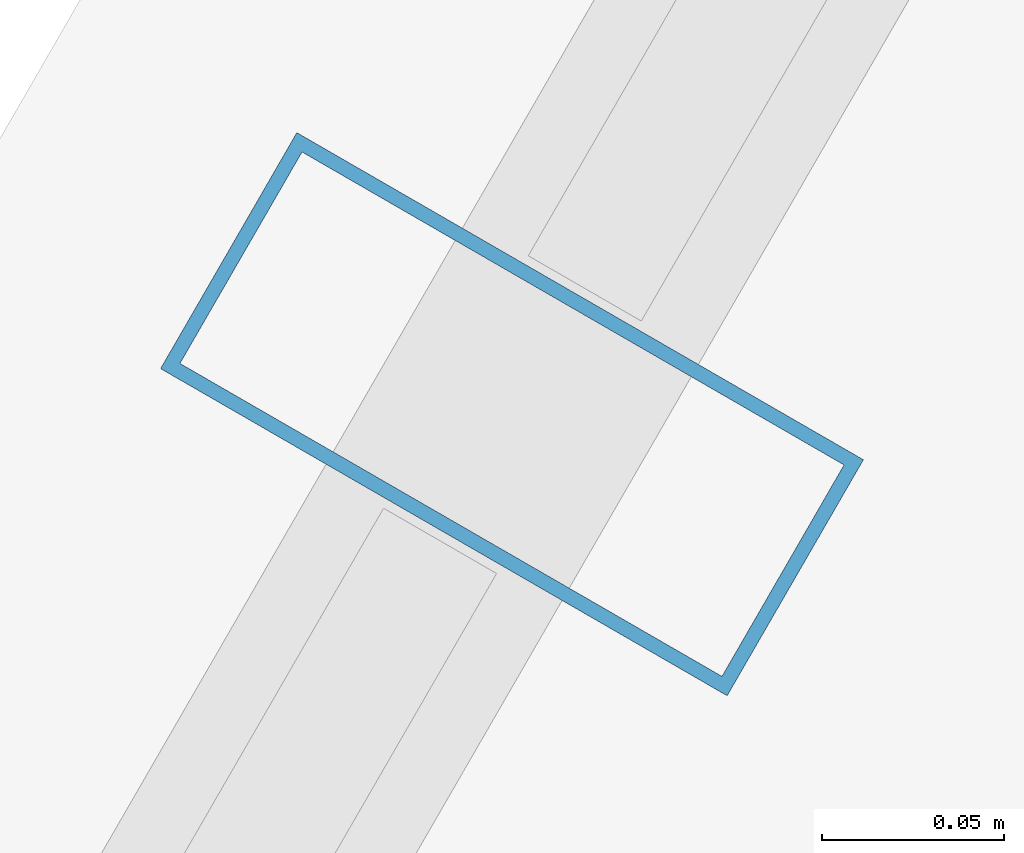
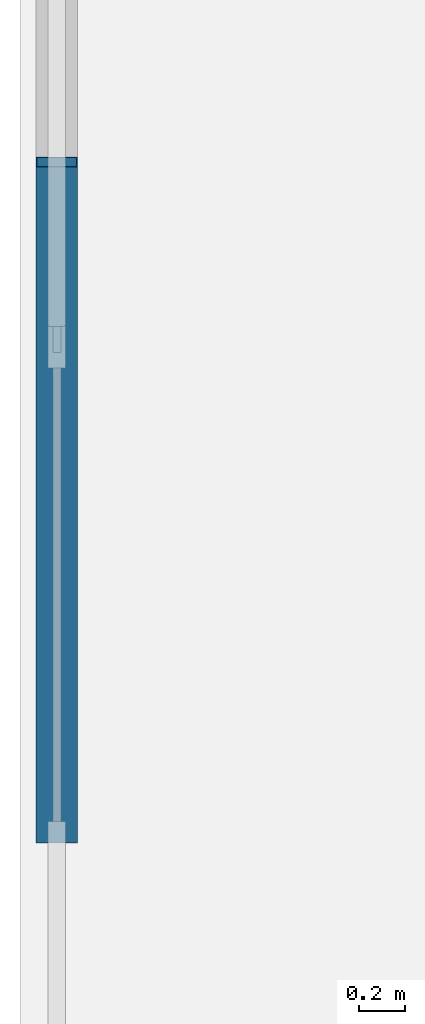
# One storey, part 13 of 32: 1 member, 1 element without a shape of its own.
"""IFC4 building model written with IfcOpenShell, lengths in metres."""

from ifc_helpers import new_model, si_unit, direction, frame, origin, origin_2d, place, context, subcontext, project, spatial, hollow_rectangle, extrude, material, layer, layer_set, material_profile, profile_set, type_object, element, aggregate, save


model = new_model("IFC4")

# Units and contexts
model_context = context("Model", 3, precision=1e-05, world=origin(), true_north=direction((0.0, 1.0)))
body_context = subcontext(model_context, "Body", "Model", "MODEL_VIEW")
ifc_project = project(units=[si_unit("LENGTHUNIT", "METRE"), si_unit("AREAUNIT", "SQUARE_METRE"), si_unit("VOLUMEUNIT", "CUBIC_METRE"), si_unit("PLANEANGLEUNIT", "RADIAN"), si_unit("MASSUNIT", "GRAM", prefix="KILO")], contexts=[model_context])

# Site, building, storey
site_placement = place(None, origin())
site = spatial("IfcSite", under=ifc_project, at=site_placement, CompositionType="ELEMENT")
building_placement = place(site_placement, origin())
building = spatial("IfcBuilding", under=site, at=building_placement, Name="Ndaravel Arena Tower", CompositionType="ELEMENT")
storey_placement = place(building_placement, frame((0.0, 0.0, 134.60009765625)))
storey = spatial("IfcBuildingStorey", under=building, at=storey_placement, Name="L31", CompositionType="ELEMENT", Elevation=134.60009765625)

# Curtain wall, member
ifc_material_1 = material(Name="Aluminium", Category="aluminium")
ifc_layer = layer(ifc_material_1, 0.179931640625)
ifc_layer_set = layer_set([ifc_layer], Name="Aluminium")
curtain_wall_type = type_object("IfcCurtainWallType", Name="CW-SYS-03", PredefinedType="NOTDEFINED", material=ifc_layer_set)
curtain_wall_placement = place(storey_placement, origin())
curtain_wall = element("IfcCurtainWall", 1, at=curtain_wall_placement, inside=storey, type_object=curtain_wall_type, Name="L31 Faceted Crystal Curtain Wall CW-L31-E05", PredefinedType="NOTDEFINED")
ifc_material_2 = material(Name="Aluminium", Category="aluminium")
ifc_material_profile = material_profile(ifc_material_2, hollow_rectangle(XDim=0.074951171875, YDim=0.179931640625, WallThickness=0.00390625, at=origin_2d()), Name="CW MULLION 75x180x4")
ifc_profile_set = profile_set([ifc_material_profile], Name="Aluminium")
member_type = type_object("IfcMemberType", Name="MEM-CW-MUL180", PredefinedType="MULLION", material=ifc_profile_set)
member_placement = place(storey_placement, frame((29.29150390625, 34.7255859375, 0.0), z_axis=(0.0, 0.0, 1.0), x_axis=(-0.5, -0.866025403784, 0.0)))
member = element("IfcMember", 2, at=member_placement, type_object=member_type, Name="CW-L31-E05 Mullion 03", PredefinedType="MULLION", context=body_context, shape_type="SweptSolid", body=[
    extrude(hollow_rectangle(XDim=0.074951171875, YDim=0.179931640625, WallThickness=0.00390625, at=origin_2d()), origin(), (0.0, 0.0, 1.0), 3.579833984375),
])
aggregate(curtain_wall, [member])

save(model, "model.ifc")
